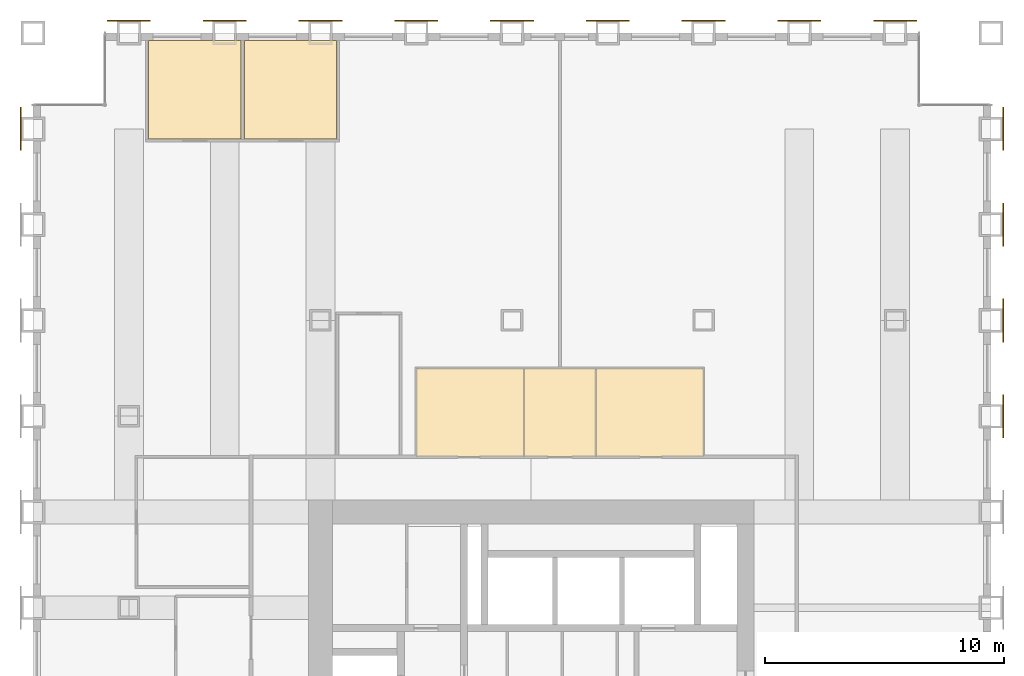
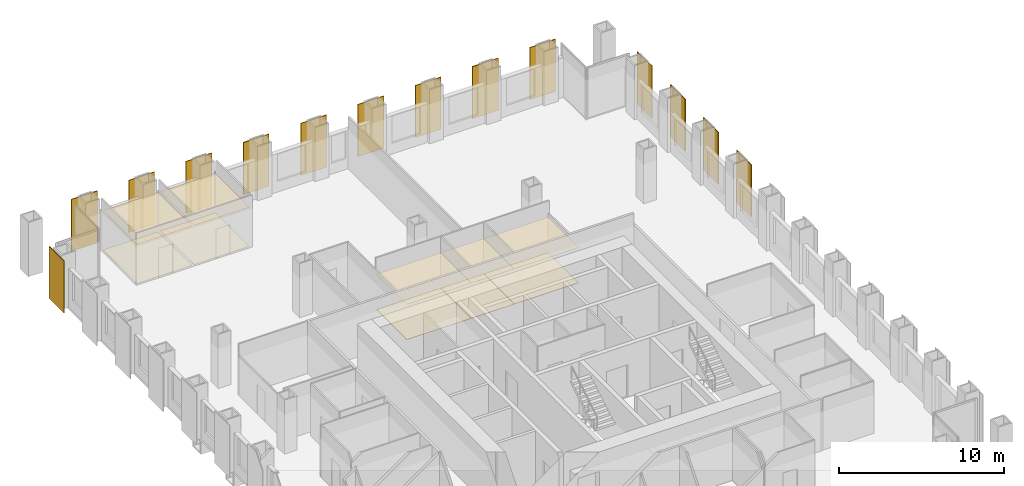
# One storey, part 13 of 13: 14 shading devices, 10 coverings.
"""IFC4 building model written with IfcOpenShell, lengths in metres."""

import ifcopenshell
import ifcopenshell.guid

model = None  # the IFC model being written
_history = None  # IfcOwnerHistory: only IFC2X3 demands one
_inside = {}  # id of a spatial element -> (the spatial element, [elements in it])
_under = {}  # id of a project, library or spatial element -> (it, [spatial elements below it])
_declared = {}  # id of a project -> (the project, [libraries it declares])
_typed = {}  # id of a type object -> (the type object, [elements of that type])
_made_of = {}  # id of a material, layer set ... -> (it, [elements and type objects made of it])


def new_model(schema):
    """Start an empty IFC model of exactly this schema.

    Asked for "IFC4X3", IfcOpenShell would pick the latest addendum, in which some entities
    have other attributes; the version numbers below select the first issue.
    IFC2X3 requires an IfcOwnerHistory on every rooted entity: one is made here for all.
    """
    global model, _history
    if schema == "IFC4X3":
        model = ifcopenshell.file(schema_version=(4, 3, 0, 0))
    else:
        model = ifcopenshell.file(schema=schema)
    _inside.clear()
    _under.clear()
    _declared.clear()
    _typed.clear()
    _made_of.clear()
    _history = None
    if model.schema == "IFC2X3":
        org = make("IfcOrganization", Name="unknown")
        user = make(
            "IfcPersonAndOrganization",
            ThePerson=make("IfcPerson", FamilyName="unknown"),
            TheOrganization=org,
        )
        app = make(
            "IfcApplication",
            ApplicationDeveloper=org,
            Version="unknown",
            ApplicationFullName="unknown",
            ApplicationIdentifier="unknown",
        )
        _history = make(
            "IfcOwnerHistory",
            OwningUser=user,
            OwningApplication=app,
            ChangeAction="ADDED",
            CreationDate=0,
        )
    return model


def make(cls, **values):
    """One entity of the class cls with the attributes given. An attribute that is None is left unset."""
    return model.create_entity(
        cls, **{name: value for name, value in values.items() if value is not None}
    )


def rooted(cls, **values):
    """An entity with a GlobalId (a new one), such as an element, a storey or a relation."""
    return make(cls, GlobalId=ifcopenshell.guid.new(), OwnerHistory=_history, **values)


def si_unit(unit_type, name, prefix=None):
    """IfcSIUnit, for example si_unit("LENGTHUNIT", "METRE", prefix="MILLI")."""
    return make("IfcSIUnit", UnitType=unit_type, Prefix=prefix, Name=name)


def assignment(units):
    """IfcUnitAssignment: the units of a project."""
    return None if units is None else make("IfcUnitAssignment", Units=units)


def point(xyz):
    """IfcCartesianPoint."""
    return None if xyz is None else make("IfcCartesianPoint", Coordinates=xyz)


def direction(xyz):
    """IfcDirection."""
    return None if xyz is None else make("IfcDirection", DirectionRatios=xyz)


def frame(location, z_axis=None, x_axis=None):
    """IfcAxis2Placement3D, a coordinate frame: its origin and axes. An axis left out is left unset."""
    return make(
        "IfcAxis2Placement3D",
        Location=point(location),
        Axis=direction(z_axis),
        RefDirection=direction(x_axis),
    )


def frame_2d(location, x_axis=None):
    """IfcAxis2Placement2D, a coordinate frame in the plane: its origin and x axis."""
    return make(
        "IfcAxis2Placement2D", Location=point(location), RefDirection=direction(x_axis)
    )


def origin():
    """The frame at (0, 0, 0) with its axes left unset."""
    return frame((0.0, 0.0, 0.0))


def origin_2d():
    """The frame at (0, 0) in the plane with its x axis left unset."""
    return frame_2d((0.0, 0.0))


def place(relative_to, where):
    """IfcLocalPlacement: puts the frame where relative to a parent placement (None: the world)."""
    return make(
        "IfcLocalPlacement", PlacementRelTo=relative_to, RelativePlacement=where
    )


def context(
    kind, dimensions, precision=None, world=None, true_north=None, identifier=None
):
    """IfcGeometricRepresentationContext, for example the 3D "Model" context."""
    return make(
        "IfcGeometricRepresentationContext",
        ContextIdentifier=identifier,
        ContextType=kind,
        CoordinateSpaceDimension=dimensions,
        Precision=precision,
        WorldCoordinateSystem=world,
        TrueNorth=true_north,
    )


def subcontext(parent, identifier, kind, view, scale=None):
    """IfcGeometricRepresentationSubContext, for example "Body" below "Model"."""
    return make(
        "IfcGeometricRepresentationSubContext",
        ContextIdentifier=identifier,
        ContextType=kind,
        ParentContext=parent,
        TargetScale=scale,
        TargetView=view,
    )


def project(units=None, contexts=None):
    """IfcProject with its units and contexts."""
    return rooted(
        "IfcProject",
        Name="project",
        RepresentationContexts=contexts,
        UnitsInContext=assignment(units),
    )


def spatial(cls, under=None, at=None, **own):
    """A site, building, storey or space (cls), placed at a placement, below another one or the project."""
    s = rooted(cls, ObjectPlacement=at, **own)
    if under is not None:
        _under.setdefault(under.id(), (under, []))[1].append(s)
    return s


def polyline(points):
    """IfcPolyline through the points."""
    return make("IfcPolyline", Points=[point(p) for p in points])


def profile(cls, at=None, kind="AREA", **sizes):
    """A parametric profile (cls). Its sizes go by their IFC names, for example OverallWidth=200.0."""
    return make(cls, ProfileType=kind, Position=at, **sizes)


def rectangle(**sizes):
    """IfcRectangleProfileDef."""
    return profile("IfcRectangleProfileDef", **sizes)


def outline(outer, holes=None, kind="AREA"):
    """IfcArbitraryClosedProfileDef: a profile drawn as a closed curve; with holes, ...WithVoids."""
    if holes is None:
        return make("IfcArbitraryClosedProfileDef", ProfileType=kind, OuterCurve=outer)
    return make(
        "IfcArbitraryProfileDefWithVoids",
        ProfileType=kind,
        OuterCurve=outer,
        InnerCurves=holes,
    )


def extrude(swept, where, along, depth):
    """IfcExtrudedAreaSolid: the profile swept, set in the frame where, extruded along a direction by depth."""
    return make(
        "IfcExtrudedAreaSolid",
        SweptArea=swept,
        Position=where,
        ExtrudedDirection=direction(along),
        Depth=depth,
    )


def shape(context_of_items, identifier, shape_type, items):
    """IfcShapeRepresentation: the items that make up one representation, for example the "Body"."""
    return make(
        "IfcShapeRepresentation",
        ContextOfItems=context_of_items,
        RepresentationIdentifier=identifier,
        RepresentationType=shape_type,
        Items=items,
    )


def material(Name=None, Category=None):
    """IfcMaterial."""
    return make("IfcMaterial", Name=Name, Category=Category)


def layer(
    of_material, thickness, ventilated=None, Name=None, Category=None, Priority=None
):
    """IfcMaterialLayer: one layer of a wall or slab, of a material (None: an air gap)."""
    return make(
        "IfcMaterialLayer",
        Material=of_material,
        LayerThickness=thickness,
        IsVentilated=ventilated,
        Name=Name,
        Category=Category,
        Priority=Priority,
    )


def layer_set(layers, Name=None):
    """IfcMaterialLayerSet."""
    return make("IfcMaterialLayerSet", MaterialLayers=layers, LayerSetName=Name)


def made_of(thing, what):
    """Note that an element or type object is made of a material, layer set ...; save() writes the relation."""
    if what is not None:
        _made_of.setdefault(what.id(), (what, []))[1].append(thing)
    return thing


def type_object(cls, material=None, **own):
    """A type object (cls), such as IfcWallType, which elements share."""
    return made_of(rooted(cls, **own), material)


def element(
    cls,
    number,
    at=None,
    inside=None,
    cuts=None,
    type_object=None,
    material=None,
    context=None,
    identifier="Body",
    shape_type=None,
    held_by="IfcProductDefinitionShape",
    body=None,
    shapes=None,
    **own,
):
    """One element of the class cls, such as IfcWall. Its Tag is "e" and its number.

    at: its placement. inside: the storey or other place that contains it. cuts: it is an
    opening in that element (IfcRelVoidsElement). A single representation is given by context,
    identifier, shape_type and body (its items); several are given by shapes. held_by: the class
    of the entity that holds the representations. save() writes the other relations.
    """
    e = rooted(cls, Tag="e%d" % number, ObjectPlacement=at, **own)
    if body is not None:
        shapes = [shape(context, identifier, shape_type, body)]
    if shapes is not None:
        e.Representation = make(held_by, Representations=shapes)
    if inside is not None:
        _inside.setdefault(inside.id(), (inside, []))[1].append(e)
    if cuts is not None:
        rooted(
            "IfcRelVoidsElement", RelatingBuildingElement=cuts, RelatedOpeningElement=e
        )
    if type_object is not None:
        _typed.setdefault(type_object.id(), (type_object, []))[1].append(e)
    return made_of(e, material)


def aggregate(whole, parts):
    """IfcRelAggregates: a whole, such as a stair, and the parts it consists of."""
    return rooted("IfcRelAggregates", RelatingObject=whole, RelatedObjects=parts)


def save(model, path):
    """Write the relations noted so far, then the file.

    IfcRelAggregates (storeys below a building ...), IfcRelContainedInSpatialStructure (elements
    in a storey), IfcRelDefinesByType, IfcRelAssociatesMaterial and IfcRelDeclares: one each for
    every whole, place, type object, material and project.
    """
    for whole, parts in _under.values():
        aggregate(whole, parts)
    for where, things in _inside.values():
        rooted(
            "IfcRelContainedInSpatialStructure",
            RelatedElements=things,
            RelatingStructure=where,
        )
    for kind, things in _typed.values():
        rooted("IfcRelDefinesByType", RelatedObjects=things, RelatingType=kind)
    for what, things in _made_of.values():
        rooted("IfcRelAssociatesMaterial", RelatedObjects=things, RelatingMaterial=what)
    for by, libraries in _declared.values():
        rooted("IfcRelDeclares", RelatingContext=by, RelatedDefinitions=libraries)
    model.write(path)


model = new_model("IFC4")

# Units and contexts
model_context = context("Model", 3, precision=1e-05, world=origin(), true_north=direction((0.0, 1.0)))
body_context = subcontext(model_context, "Body", "Model", "MODEL_VIEW")
ifc_project = project(units=[si_unit("LENGTHUNIT", "METRE"), si_unit("AREAUNIT", "SQUARE_METRE"), si_unit("VOLUMEUNIT", "CUBIC_METRE"), si_unit("PLANEANGLEUNIT", "RADIAN"), si_unit("MASSUNIT", "GRAM", prefix="KILO")], contexts=[model_context])

# Site, building, storey
site_placement = place(None, origin())
site = spatial("IfcSite", under=ifc_project, at=site_placement, CompositionType="ELEMENT")
building_placement = place(site_placement, origin())
building = spatial("IfcBuilding", under=site, at=building_placement, Name="Rimbunsela Tower", CompositionType="ELEMENT")
storey_placement = place(building_placement, frame((0.0, 0.0, 175.800048828125)))
storey = spatial("IfcBuildingStorey", under=building, at=storey_placement, Name="L42", CompositionType="ELEMENT", Elevation=175.800048828125)

# Coverings
ifc_material_1 = material(Name="Nylon carpet tile", Category="textile")
ifc_layer_1 = layer(ifc_material_1, 0.010009765625)
ifc_layer_set_1 = layer_set([ifc_layer_1], Name="Carpet tile 10")
covering_type_1 = type_object("IfcCoveringType", Name="Carpet tile 10", PredefinedType="FLOORING", material=ifc_layer_set_1)
covering_1_placement = place(storey_placement, origin())
element("IfcCovering", 1, at=covering_1_placement, inside=storey, type_object=covering_type_1, Name="Floor finish Executive office", PredefinedType="FLOORING", context=body_context, shape_type="SweptSolid", body=[
    extrude(outline(polyline([(14.675048828125, 51.574951171875), (14.675048828125, 55.699951171875), (10.824951171875, 55.699951171875), (10.824951171875, 51.574951171875), (14.675048828125, 51.574951171875)])), origin(), (0.0, 0.0, 1.0), 0.010009765625),
])
covering_2_placement = place(storey_placement, origin())
element("IfcCovering", 2, at=covering_2_placement, inside=storey, type_object=covering_type_1, Name="Floor finish Executive office", PredefinedType="FLOORING", context=body_context, shape_type="SweptSolid", body=[
    extrude(outline(polyline([(18.675048828125, 51.574951171875), (18.675048828125, 55.699951171875), (14.824951171875, 55.699951171875), (14.824951171875, 51.574951171875), (18.675048828125, 51.574951171875)])), origin(), (0.0, 0.0, 1.0), 0.010009765625),
])
ifc_material_2 = material(Name="Mineral fibre ceiling tile", Category="gypsum")
ifc_layer_2 = layer(ifc_material_2, 0.02001953125)
ifc_layer_set_2 = layer_set([ifc_layer_2], Name="Ceiling 600 grid")
covering_type_2 = type_object("IfcCoveringType", Name="Ceiling 600 grid", PredefinedType="CEILING", material=ifc_layer_set_2)
covering_3_placement = place(storey_placement, frame((0.0, 0.0, 2.89990234375)))
element("IfcCovering", 3, at=covering_3_placement, inside=storey, type_object=covering_type_2, Name="Ceiling Executive office", PredefinedType="CEILING", context=body_context, shape_type="SweptSolid", body=[
    extrude(outline(polyline([(14.675048828125, 51.574951171875), (14.675048828125, 55.699951171875), (10.824951171875, 55.699951171875), (10.824951171875, 51.574951171875), (14.675048828125, 51.574951171875)])), origin(), (0.0, 0.0, 1.0), 0.02001953125),
])
covering_4_placement = place(storey_placement, frame((0.0, 0.0, 2.89990234375)))
element("IfcCovering", 4, at=covering_4_placement, inside=storey, type_object=covering_type_2, Name="Ceiling Executive office", PredefinedType="CEILING", context=body_context, shape_type="SweptSolid", body=[
    extrude(outline(polyline([(18.675048828125, 51.574951171875), (18.675048828125, 55.699951171875), (14.824951171875, 55.699951171875), (14.824951171875, 51.574951171875), (18.675048828125, 51.574951171875)])), origin(), (0.0, 0.0, 1.0), 0.02001953125),
])
ifc_material_3 = material(Name="Moisture-resistant plasterboard ceiling", Category="gypsum")
ifc_layer_3 = layer(ifc_material_3, 0.012451171875)
ifc_layer_set_3 = layer_set([ifc_layer_3], Name="Ceiling moisture-resistant board")
covering_type_3 = type_object("IfcCoveringType", Name="Ceiling moisture-resistant board", PredefinedType="CEILING", material=ifc_layer_set_3)
covering_5_placement = place(storey_placement, frame((0.0, 0.0, 2.599853515625)))
element("IfcCovering", 5, at=covering_5_placement, inside=storey, type_object=covering_type_3, Name="Ceiling Female WC", PredefinedType="CEILING", context=body_context, shape_type="SweptSolid", body=[
    extrude(outline(polyline([(26.5, 38.300048828125), (26.5, 42.0), (22.0, 42.0), (22.0, 38.300048828125), (26.5, 38.300048828125)])), origin(), (0.0, 0.0, 1.0), 0.02001953125),
])
covering_6_placement = place(storey_placement, frame((0.0, 0.0, 2.599853515625)))
element("IfcCovering", 6, at=covering_6_placement, inside=storey, type_object=covering_type_3, Name="Ceiling Accessible WC", PredefinedType="CEILING", context=body_context, shape_type="SweptSolid", body=[
    extrude(outline(polyline([(29.5, 38.300048828125), (29.5, 42.0), (26.5, 42.0), (26.5, 38.300048828125), (29.5, 38.300048828125)])), origin(), (0.0, 0.0, 1.0), 0.02001953125),
])
covering_7_placement = place(storey_placement, frame((0.0, 0.0, 2.599853515625)))
element("IfcCovering", 7, at=covering_7_placement, inside=storey, type_object=covering_type_3, Name="Ceiling Male WC", PredefinedType="CEILING", context=body_context, shape_type="SweptSolid", body=[
    extrude(outline(polyline([(34.0, 38.300048828125), (34.0, 42.0), (29.5, 42.0), (29.5, 38.300048828125), (34.0, 38.300048828125)])), origin(), (0.0, 0.0, 1.0), 0.02001953125),
])
ifc_material_4 = material(Name="Porcelain floor tile in adhesive bed", Category="ceramic")
ifc_layer_4 = layer(ifc_material_4, 0.02001953125)
ifc_layer_set_4 = layer_set([ifc_layer_4], Name="Porcelain tile 20")
covering_type_4 = type_object("IfcCoveringType", Name="Porcelain tile 20", PredefinedType="FLOORING", material=ifc_layer_set_4)
covering_8_placement = place(storey_placement, origin())
element("IfcCovering", 8, at=covering_8_placement, inside=storey, type_object=covering_type_4, Name="Floor finish Female WC", PredefinedType="FLOORING", context=body_context, shape_type="SweptSolid", body=[
    extrude(outline(polyline([(26.5, 38.300048828125), (26.5, 42.0), (22.0, 42.0), (22.0, 38.300048828125), (26.5, 38.300048828125)])), origin(), (0.0, 0.0, 1.0), 0.02001953125),
])
covering_9_placement = place(storey_placement, origin())
element("IfcCovering", 9, at=covering_9_placement, inside=storey, type_object=covering_type_4, Name="Floor finish Accessible WC", PredefinedType="FLOORING", context=body_context, shape_type="SweptSolid", body=[
    extrude(outline(polyline([(29.5, 38.300048828125), (29.5, 42.0), (26.5, 42.0), (26.5, 38.300048828125), (29.5, 38.300048828125)])), origin(), (0.0, 0.0, 1.0), 0.02001953125),
])
covering_10_placement = place(storey_placement, origin())
element("IfcCovering", 10, at=covering_10_placement, inside=storey, type_object=covering_type_4, Name="Floor finish Male WC", PredefinedType="FLOORING", context=body_context, shape_type="SweptSolid", body=[
    extrude(outline(polyline([(34.0, 38.300048828125), (34.0, 42.0), (29.5, 42.0), (29.5, 38.300048828125), (34.0, 38.300048828125)])), origin(), (0.0, 0.0, 1.0), 0.02001953125),
])

# Shading devices
ifc_material_5 = material(Name="Perforated aluminium, 35 % open area", Category="aluminium")
ifc_layer_5 = layer(ifc_material_5, 0.050048828125)
ifc_layer_set_5 = layer_set([ifc_layer_5], Name="Solar screen panel 1800")
shading_device_type = type_object("IfcShadingDeviceType", Name="Solar screen panel 1800", PredefinedType="USERDEFINED", material=ifc_layer_set_5)
for number, where, z_axis, x_axis, name in (
    (11, (46.52490234375, 40.0, 0.0), (0.0, 0.0, 1.0), (0.0, 1.0, 0.0), "Solar screen E L42"),
    (12, (46.52490234375, 44.0, 0.0), (0.0, 0.0, 1.0), (0.0, 1.0, 0.0), "Solar screen E L42"),
    (13, (46.52490234375, 48.0, 0.0), (0.0, 0.0, 1.0), (0.0, 1.0, 0.0), "Solar screen E L42"),
    (14, (46.52490234375, 52.0, 0.0), (0.0, 0.0, 1.0), (0.0, 1.0, 0.0), "Solar screen E L42"),
    (15, (10.0, 56.52490234375, 0.0), (0.0, 0.0, 1.0), (1.0, 0.0, 0.0), "Solar screen N L42"),
    (16, (14.0, 56.52490234375, 0.0), (0.0, 0.0, 1.0), (1.0, 0.0, 0.0), "Solar screen N L42"),
    (17, (18.0, 56.52490234375, 0.0), (0.0, 0.0, 1.0), (1.0, 0.0, 0.0), "Solar screen N L42"),
    (18, (22.0, 56.52490234375, 0.0), (0.0, 0.0, 1.0), (1.0, 0.0, 0.0), "Solar screen N L42"),
    (19, (26.0, 56.52490234375, 0.0), (0.0, 0.0, 1.0), (1.0, 0.0, 0.0), "Solar screen N L42"),
    (20, (30.0, 56.52490234375, 0.0), (0.0, 0.0, 1.0), (1.0, 0.0, 0.0), "Solar screen N L42"),
    (21, (34.0, 56.52490234375, 0.0), (0.0, 0.0, 1.0), (1.0, 0.0, 0.0), "Solar screen N L42"),
    (22, (38.0, 56.52490234375, 0.0), (0.0, 0.0, 1.0), (1.0, 0.0, 0.0), "Solar screen N L42"),
    (23, (42.0, 56.52490234375, 0.0), (0.0, 0.0, 1.0), (1.0, 0.0, 0.0), "Solar screen N L42"),
    (24, (5.47509765625, 52.0, 0.0), (0.0, 0.0, 1.0), (0.0, 1.0, 0.0), "Solar screen W L42"),
):
    element("IfcShadingDevice", number, at=place(storey_placement, frame(where, z_axis=z_axis, x_axis=x_axis)), inside=storey, type_object=shading_device_type, Name=name, ObjectType="SCREEN", PredefinedType="USERDEFINED", context=body_context, shape_type="SweptSolid", body=[
        extrude(rectangle(XDim=1.800048828125, YDim=0.050048828125, at=origin_2d()), origin(), (0.0, 0.0, 1.0), 3.85009765625),
    ])

save(model, "model.ifc")
